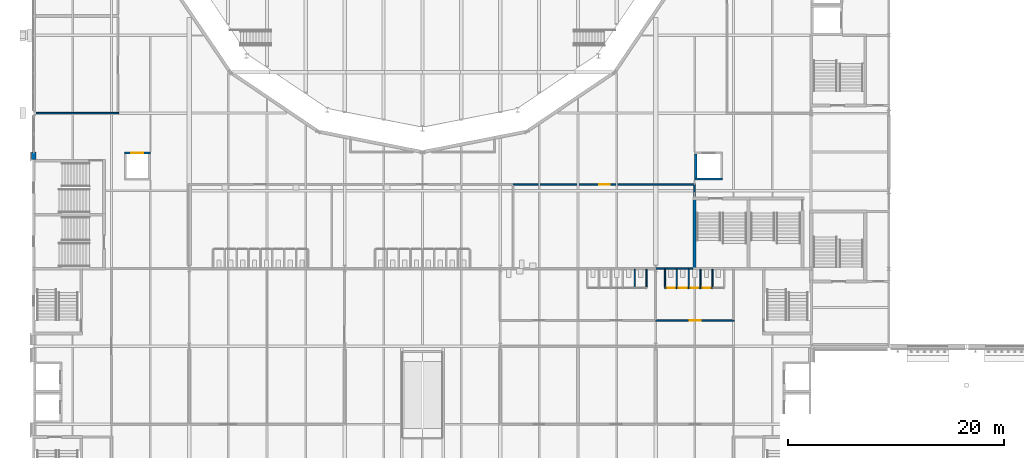
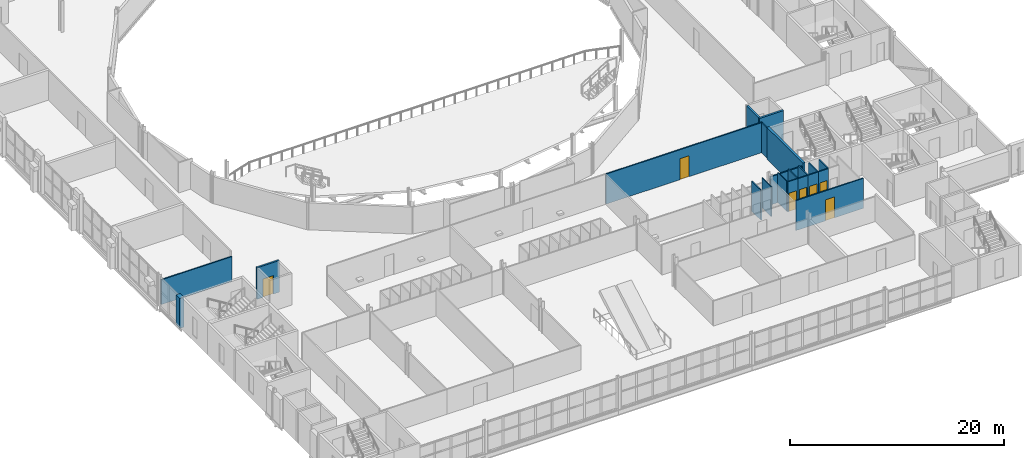
# One storey, part 66 of 124: 21 walls, 7 doors, 7 openings.
"""IFC4 building model written with IfcOpenShell, lengths in metres."""

from ifc_helpers import new_model, si_unit, direction, frame, frame_2d, origin, place, context, subcontext, project, spatial, rectangle, extrude, material, layer, layer_set, type_object, element, fill, save


model = new_model("IFC4")

# Units and contexts
model_context = context("Model", 3, precision=1e-05, world=origin(), true_north=direction((0.0, 1.0)))
body_context = subcontext(model_context, "Body", "Model", "MODEL_VIEW")
ifc_project = project(units=[si_unit("LENGTHUNIT", "METRE"), si_unit("AREAUNIT", "SQUARE_METRE"), si_unit("VOLUMEUNIT", "CUBIC_METRE"), si_unit("PLANEANGLEUNIT", "RADIAN"), si_unit("MASSUNIT", "GRAM", prefix="KILO")], contexts=[model_context])

# Site, building, storey
site_placement = place(None, origin())
site = spatial("IfcSite", under=ifc_project, at=site_placement, CompositionType="ELEMENT")
building_placement = place(site_placement, origin())
building = spatial("IfcBuilding", under=site, at=building_placement, Name="Kupolbacken Congress Centre", CompositionType="ELEMENT")
storey_placement = place(building_placement, frame((0.0, 0.0, 10.800048828125)))
storey = spatial("IfcBuildingStorey", under=building, at=storey_placement, Name="L03", CompositionType="ELEMENT", Elevation=10.800048828125)

# Walls
ifc_material_1 = material(Name="Limestone", Category="masonry")
ifc_layer_1 = layer(ifc_material_1, 0.1201171875)
ifc_material_2 = material(Name="Air cavity", Category="air")
ifc_layer_2 = layer(ifc_material_2, 0.0400390625, ventilated=True)
ifc_material_3 = material(Name="Mineral wool", Category="insulation")
ifc_layer_3 = layer(ifc_material_3, 0.159912109375)
ifc_material_4 = material(Name="Concrete block", Category="masonry")
ifc_layer_4 = layer(ifc_material_4, 0.1201171875)
ifc_layer_set_1 = layer_set([ifc_layer_1, ifc_layer_2, ifc_layer_3, ifc_layer_4], Name="Limestone / Mineral wool / Concrete block")
wall_type_1 = type_object("IfcWallType", Name="EW05 external cavity wall 440", PredefinedType="SOLIDWALL", material=ifc_layer_set_1)
wall_1_placement = place(storey_placement, frame((7.199951171875, 61.199951171875, 0.0), z_axis=(0.0, 0.0, 1.0), x_axis=(0.0, -1.0, 0.0)))
element("IfcWall", 1, at=wall_1_placement, inside=storey, type_object=wall_type_1, Name="E/P/W/L03/394", PredefinedType="SOLIDWALL", context=body_context, shape_type="SweptSolid", body=[
    extrude(rectangle(XDim=0.675048828125, YDim=0.43994140625, at=frame_2d((0.33740234375, 0.0))), origin(), (0.0, 0.0, 1.0), 3.419921875),
])
ifc_material_5 = material(Name="Gypsum board", Category="drywall")
ifc_layer_5 = layer(ifc_material_5, 0.114990234375)
ifc_layer_set_2 = layer_set([ifc_layer_5], Name="Gypsum board")
wall_type_2 = type_object("IfcWallType", Name="P04 partition 115", PredefinedType="PARTITIONING", material=ifc_layer_set_2)
for number, where, z_axis, x_axis, name in (
    (2, (62.85009765625, 50.342529296875, 0.0), (0.0, 0.0, 1.0), (0.0, -1.0, 0.0), "PD/L03/F-WC-02/cub05/a"),
    (3, (63.949951171875, 50.342529296875, 0.0), (0.0, 0.0, 1.0), (0.0, -1.0, 0.0), "PD/L03/F-WC-02/cub05/b"),
):
    element("IfcWall", number, at=place(storey_placement, frame(where, z_axis=z_axis, x_axis=x_axis)), inside=storey, type_object=wall_type_2, Name=name, PredefinedType="PARTITIONING", context=body_context, shape_type="SweptSolid", body=[
        extrude(rectangle(XDim=1.68505859375, YDim=0.114990234375, at=frame_2d((0.842529296875, 0.0))), origin(), (0.0, 0.0, 1.0), 3.419921875),
    ])

# Wall, opening, door
wall_2_placement = place(storey_placement, frame((65.64990234375, 48.60009765625, 0.0), z_axis=(0.0, 0.0, 1.0), x_axis=(1.0, 0.0, 0.0)))
wall_2 = element("IfcWall", 4, at=wall_2_placement, inside=storey, type_object=wall_type_2, Name="PD/L03/F-WC-03/cub01/F", PredefinedType="PARTITIONING", context=body_context, shape_type="SweptSolid", body=[
    extrude(rectangle(XDim=1.10009765625, YDim=0.114990234375, at=frame_2d((0.550048828125, 0.0))), origin(), (0.0, 0.0, 1.0), 3.419921875),
])
opening_1_placement = place(wall_2_placement, frame((0.14990234375, 0.0, 0.0)))
opening_1 = element("IfcOpeningElement", 5, at=opening_1_placement, cuts=wall_2, Name="Opening 3.WF74", PredefinedType="OPENING", context=body_context, shape_type="SweptSolid", body=[
    extrude(rectangle(XDim=0.800048828125, YDim=2.10009765625, at=frame_2d((0.39990234375, 1.050048828125))), frame((0.0, 0.0673828125, 0.0), z_axis=(0.0, -1.0, 0.0), x_axis=(1.0, 0.0, 0.0)), (0.0, 0.0, 1.0), 0.135009765625),
])
ifc_material_6 = material(Name="Timber door leaf", Category="wood")
door_type_1 = type_object("IfcDoorType", Name="D2 door 800x2100", OperationType="SINGLE_SWING_LEFT", PredefinedType="DOOR", material=ifc_material_6)
door_1_placement = place(opening_1_placement, origin())
door_1 = element("IfcDoor", 6, at=door_1_placement, inside=storey, type_object=door_type_1, Name="PD/L03/F-WC-03/cub01/F/DC", OperationType="SINGLE_SWING_LEFT", OverallHeight=2.10009765625, OverallWidth=0.800048828125, PredefinedType="DOOR", context=body_context, shape_type="SweptSolid", body=[
    extrude(rectangle(XDim=0.800048828125, YDim=2.10009765625, at=frame_2d((0.39990234375, 1.050048828125))), frame((0.0, 0.02490234375, 0.0), z_axis=(0.0, -1.0, 0.0), x_axis=(1.0, 0.0, 0.0)), (0.0, 0.0, 1.0), 0.050048828125),
])
fill(opening_1, door_1)

# Wall
wall_3_placement = place(storey_placement, frame((65.64990234375, 50.342529296875, 0.0), z_axis=(0.0, 0.0, 1.0), x_axis=(0.0, -1.0, 0.0)))
element("IfcWall", 7, at=wall_3_placement, inside=storey, type_object=wall_type_2, Name="PD/L03/F-WC-03/cub01/a", PredefinedType="PARTITIONING", context=body_context, shape_type="SweptSolid", body=[
    extrude(rectangle(XDim=1.68505859375, YDim=0.114990234375, at=frame_2d((0.842529296875, 0.0))), origin(), (0.0, 0.0, 1.0), 3.419921875),
])

# Wall, opening, door
wall_4_placement = place(storey_placement, frame((66.75, 48.60009765625, 0.0), z_axis=(0.0, 0.0, 1.0), x_axis=(1.0, 0.0, 0.0)))
wall_4 = element("IfcWall", 8, at=wall_4_placement, inside=storey, type_object=wall_type_2, Name="PD/L03/F-WC-03/cub02/F", PredefinedType="PARTITIONING", context=body_context, shape_type="SweptSolid", body=[
    extrude(rectangle(XDim=1.10009765625, YDim=0.114990234375, at=frame_2d((0.550048828125, 0.0))), origin(), (0.0, 0.0, 1.0), 3.419921875),
])
opening_2_placement = place(wall_4_placement, frame((0.14990234375, 0.0, 0.0)))
opening_2 = element("IfcOpeningElement", 9, at=opening_2_placement, cuts=wall_4, Name="Opening 3.WF75", PredefinedType="OPENING", context=body_context, shape_type="SweptSolid", body=[
    extrude(rectangle(XDim=0.800048828125, YDim=2.10009765625, at=frame_2d((0.39990234375, 1.050048828125))), frame((0.0, 0.0673828125, 0.0), z_axis=(0.0, -1.0, 0.0), x_axis=(1.0, 0.0, 0.0)), (0.0, 0.0, 1.0), 0.135009765625),
])
door_2_placement = place(opening_2_placement, origin())
door_2 = element("IfcDoor", 10, at=door_2_placement, inside=storey, type_object=door_type_1, Name="PD/L03/F-WC-03/cub02/F/DC", OperationType="SINGLE_SWING_RIGHT", OverallHeight=2.10009765625, OverallWidth=0.800048828125, PredefinedType="DOOR", context=body_context, shape_type="SweptSolid", body=[
    extrude(rectangle(XDim=0.800048828125, YDim=2.10009765625, at=frame_2d((0.39990234375, 1.050048828125))), frame((0.0, 0.02490234375, 0.0), z_axis=(0.0, -1.0, 0.0), x_axis=(1.0, 0.0, 0.0)), (0.0, 0.0, 1.0), 0.050048828125),
])
fill(opening_2, door_2)

# Wall
wall_5_placement = place(storey_placement, frame((66.75, 50.342529296875, 0.0), z_axis=(0.0, 0.0, 1.0), x_axis=(0.0, -1.0, 0.0)))
element("IfcWall", 11, at=wall_5_placement, inside=storey, type_object=wall_type_2, Name="PD/L03/F-WC-03/cub02/a", PredefinedType="PARTITIONING", context=body_context, shape_type="SweptSolid", body=[
    extrude(rectangle(XDim=1.68505859375, YDim=0.114990234375, at=frame_2d((0.842529296875, 0.0))), origin(), (0.0, 0.0, 1.0), 3.419921875),
])

# Wall, opening, door
wall_6_placement = place(storey_placement, frame((67.85009765625, 48.60009765625, 0.0), z_axis=(0.0, 0.0, 1.0), x_axis=(1.0, 0.0, 0.0)))
wall_6 = element("IfcWall", 12, at=wall_6_placement, inside=storey, type_object=wall_type_2, Name="PD/L03/F-WC-03/cub03/F", PredefinedType="PARTITIONING", context=body_context, shape_type="SweptSolid", body=[
    extrude(rectangle(XDim=1.099853515625, YDim=0.114990234375, at=frame_2d((0.5498046875, 0.0))), origin(), (0.0, 0.0, 1.0), 3.419921875),
])
opening_3_placement = place(wall_6_placement, frame((0.14990234375, 0.0, 0.0)))
opening_3 = element("IfcOpeningElement", 13, at=opening_3_placement, cuts=wall_6, Name="Opening 3.WF76", PredefinedType="OPENING", context=body_context, shape_type="SweptSolid", body=[
    extrude(rectangle(XDim=0.800048828125, YDim=2.10009765625, at=frame_2d((0.39990234375, 1.050048828125))), frame((0.0, 0.0673828125, 0.0), z_axis=(0.0, -1.0, 0.0), x_axis=(1.0, 0.0, 0.0)), (0.0, 0.0, 1.0), 0.135009765625),
])
door_3_placement = place(opening_3_placement, origin())
door_3 = element("IfcDoor", 14, at=door_3_placement, inside=storey, type_object=door_type_1, Name="PD/L03/F-WC-03/cub03/F/DC", OperationType="SINGLE_SWING_LEFT", OverallHeight=2.10009765625, OverallWidth=0.800048828125, PredefinedType="DOOR", context=body_context, shape_type="SweptSolid", body=[
    extrude(rectangle(XDim=0.800048828125, YDim=2.10009765625, at=frame_2d((0.39990234375, 1.050048828125))), frame((0.0, 0.02490234375, 0.0), z_axis=(0.0, -1.0, 0.0), x_axis=(1.0, 0.0, 0.0)), (0.0, 0.0, 1.0), 0.050048828125),
])
fill(opening_3, door_3)

# Wall
wall_7_placement = place(storey_placement, frame((67.85009765625, 50.342529296875, 0.0), z_axis=(0.0, 0.0, 1.0), x_axis=(0.0, -1.0, 0.0)))
element("IfcWall", 15, at=wall_7_placement, inside=storey, type_object=wall_type_2, Name="PD/L03/F-WC-03/cub03/a", PredefinedType="PARTITIONING", context=body_context, shape_type="SweptSolid", body=[
    extrude(rectangle(XDim=1.68505859375, YDim=0.114990234375, at=frame_2d((0.842529296875, 0.0))), origin(), (0.0, 0.0, 1.0), 3.419921875),
])

# Wall, opening, door
wall_8_placement = place(storey_placement, frame((68.949951171875, 48.60009765625, 0.0), z_axis=(0.0, 0.0, 1.0), x_axis=(1.0, 0.0, 0.0)))
wall_8 = element("IfcWall", 16, at=wall_8_placement, inside=storey, type_object=wall_type_2, Name="PD/L03/F-WC-03/cub04/F", PredefinedType="PARTITIONING", context=body_context, shape_type="SweptSolid", body=[
    extrude(rectangle(XDim=1.10009765625, YDim=0.114990234375, at=frame_2d((0.550048828125, 0.0))), origin(), (0.0, 0.0, 1.0), 3.419921875),
])
opening_4_placement = place(wall_8_placement, frame((0.14990234375, 0.0, 0.0)))
opening_4 = element("IfcOpeningElement", 17, at=opening_4_placement, cuts=wall_8, Name="Opening 3.WF77", PredefinedType="OPENING", context=body_context, shape_type="SweptSolid", body=[
    extrude(rectangle(XDim=0.800048828125, YDim=2.10009765625, at=frame_2d((0.39990234375, 1.050048828125))), frame((0.0, 0.0673828125, 0.0), z_axis=(0.0, -1.0, 0.0), x_axis=(1.0, 0.0, 0.0)), (0.0, 0.0, 1.0), 0.135009765625),
])
door_4_placement = place(opening_4_placement, origin())
door_4 = element("IfcDoor", 18, at=door_4_placement, inside=storey, type_object=door_type_1, Name="PD/L03/F-WC-03/cub04/F/DC", OperationType="SINGLE_SWING_RIGHT", OverallHeight=2.10009765625, OverallWidth=0.800048828125, PredefinedType="DOOR", context=body_context, shape_type="SweptSolid", body=[
    extrude(rectangle(XDim=0.800048828125, YDim=2.10009765625, at=frame_2d((0.39990234375, 1.050048828125))), frame((0.0, 0.02490234375, 0.0), z_axis=(0.0, -1.0, 0.0), x_axis=(1.0, 0.0, 0.0)), (0.0, 0.0, 1.0), 0.050048828125),
])
fill(opening_4, door_4)

# Walls
for number, where, z_axis, x_axis, name in (
    (19, (68.949951171875, 50.342529296875, 0.0), (0.0, 0.0, 1.0), (0.0, -1.0, 0.0), "PD/L03/F-WC-03/cub04/a"),
    (20, (70.050048828125, 50.342529296875, 0.0), (0.0, 0.0, 1.0), (0.0, -1.0, 0.0), "PD/L03/F-WC-03/cub05/a"),
):
    element("IfcWall", number, at=place(storey_placement, frame(where, z_axis=z_axis, x_axis=x_axis)), inside=storey, type_object=wall_type_2, Name=name, PredefinedType="PARTITIONING", context=body_context, shape_type="SweptSolid", body=[
        extrude(rectangle(XDim=1.68505859375, YDim=0.114990234375, at=frame_2d((0.842529296875, 0.0))), origin(), (0.0, 0.0, 1.0), 3.419921875),
    ])
ifc_material_7 = material(Name="Gypsum board", Category="drywall")
ifc_layer_6 = layer(ifc_material_7, 0.135009765625)
ifc_layer_set_3 = layer_set([ifc_layer_6], Name="Gypsum board")
wall_type_3 = type_object("IfcWallType", Name="P06 compartment wall 135", PredefinedType="PARTITIONING", material=ifc_layer_set_3)
wall_9_placement = place(storey_placement, frame((68.39990234375, 57.0849609375, 0.0), z_axis=(0.0, 0.0, 1.0), x_axis=(0.0, 1.0, 0.0)))
element("IfcWall", 21, at=wall_9_placement, inside=storey, type_object=wall_type_3, Name="PD/L03/W005", PredefinedType="PARTITIONING", context=body_context, shape_type="SweptSolid", body=[
    extrude(rectangle(XDim=1.047607421875, YDim=0.135009765625, at=frame_2d((0.52392578125, 0.0))), origin(), (0.0, 0.0, 1.0), 3.419921875),
])

# Wall, opening, door
wall_10_placement = place(storey_placement, frame((64.800048828125, 45.60009765625, 0.0), z_axis=(0.0, 0.0, 1.0), x_axis=(1.0, 0.0, 0.0)))
wall_10 = element("IfcWall", 22, at=wall_10_placement, inside=storey, type_object=wall_type_3, Name="PD/L03/W042", PredefinedType="PARTITIONING", context=body_context, shape_type="SweptSolid", body=[
    extrude(rectangle(XDim=7.267333984375, YDim=0.135009765625, at=frame_2d((3.6337890625, 0.0))), origin(), (0.0, 0.0, 1.0), 3.419921875),
])
opening_5_placement = place(wall_10_placement, frame((3.14990234375, 0.0, 0.0)))
opening_5 = element("IfcOpeningElement", 23, at=opening_5_placement, cuts=wall_10, Name="Opening 3.F15", PredefinedType="OPENING", context=body_context, shape_type="SweptSolid", body=[
    extrude(rectangle(XDim=1.0, YDim=2.39990234375, at=frame_2d((0.5, 1.199951171875))), frame((0.0, 0.077392578125, 0.0), z_axis=(0.0, -1.0, 0.0), x_axis=(1.0, 0.0, 0.0)), (0.0, 0.0, 1.0), 0.155029296875),
])
ifc_material_8 = material(Name="Steel fire door leaf", Category="steel")
door_type_2 = type_object("IfcDoorType", Name="D8 fire door 1000x2400", OperationType="SINGLE_SWING_LEFT", PredefinedType="DOOR", material=ifc_material_8)
door_5_placement = place(opening_5_placement, frame((1.0, 0.0, 0.0), z_axis=(0.0, 0.0, 1.0), x_axis=(-1.0, 0.0, 0.0)))
door_5 = element("IfcDoor", 24, at=door_5_placement, inside=storey, type_object=door_type_2, Name="PD/L03/W042/D3F15", OperationType="SINGLE_SWING_LEFT", OverallHeight=2.39990234375, OverallWidth=1.0, PredefinedType="DOOR", context=body_context, shape_type="SweptSolid", body=[
    extrude(rectangle(XDim=1.0, YDim=2.39990234375, at=frame_2d((0.5, 1.199951171875))), frame((0.0, 0.02490234375, 0.0), z_axis=(0.0, -1.0, 0.0), x_axis=(1.0, 0.0, 0.0)), (0.0, 0.0, 1.0), 0.050048828125),
])
fill(opening_5, door_5)

# Walls
wall_11_placement = place(storey_placement, frame((64.800048828125, 50.39990234375, 0.0), z_axis=(0.0, 0.0, 1.0), x_axis=(1.0, 0.0, 0.0)))
element("IfcWall", 25, at=wall_11_placement, inside=storey, type_object=wall_type_3, Name="PD/L03/W048", PredefinedType="PARTITIONING", context=body_context, shape_type="SweptSolid", body=[
    extrude(rectangle(XDim=3.4150390625, YDim=0.135009765625, at=frame_2d((1.70751953125, 0.0))), origin(), (0.0, 0.0, 1.0), 3.219970703125),
])
wall_12_placement = place(storey_placement, frame((15.0673828125, 64.800048828125, 0.0), z_axis=(0.0, 0.0, 1.0), x_axis=(-1.0, 0.0, 0.0)))
element("IfcWall", 26, at=wall_12_placement, inside=storey, type_object=wall_type_3, Name="PD/L03/W051", PredefinedType="PARTITIONING", context=body_context, shape_type="SweptSolid", body=[
    extrude(rectangle(XDim=7.6474609375, YDim=0.135009765625, at=frame_2d((3.82373046875, 0.0))), origin(), (0.0, 0.0, 1.0), 2.820068359375),
])

# Wall, opening, door
wall_13_placement = place(storey_placement, frame((51.60009765625, 58.199951171875, 0.0), z_axis=(0.0, 0.0, 1.0), x_axis=(1.0, 0.0, 0.0)))
wall_13 = element("IfcWall", 27, at=wall_13_placement, inside=storey, type_object=wall_type_3, Name="PD/L03/W079", PredefinedType="PARTITIONING", context=body_context, shape_type="SweptSolid", body=[
    extrude(rectangle(XDim=16.867431640625, YDim=0.135009765625, at=frame_2d((8.43359375, 0.0))), origin(), (0.0, 0.0, 1.0), 3.419921875),
])
opening_6_placement = place(wall_13_placement, frame((7.949951171875, 0.0, 0.0)))
opening_6 = element("IfcOpeningElement", 28, at=opening_6_placement, cuts=wall_13, Name="Opening 3.P21", PredefinedType="OPENING", context=body_context, shape_type="SweptSolid", body=[
    extrude(rectangle(XDim=1.0, YDim=2.39990234375, at=frame_2d((0.5, 1.199951171875))), frame((0.0, 0.077392578125, 0.0), z_axis=(0.0, -1.0, 0.0), x_axis=(1.0, 0.0, 0.0)), (0.0, 0.0, 1.0), 0.155029296875),
])
door_6_placement = place(opening_6_placement, frame((1.0, 0.0, 0.0), z_axis=(0.0, 0.0, 1.0), x_axis=(-1.0, 0.0, 0.0)))
door_6 = element("IfcDoor", 29, at=door_6_placement, inside=storey, type_object=door_type_2, Name="PD/L03/W079/D3P21", OperationType="SINGLE_SWING_LEFT", OverallHeight=2.39990234375, OverallWidth=1.0, PredefinedType="DOOR", context=body_context, shape_type="SweptSolid", body=[
    extrude(rectangle(XDim=1.0, YDim=2.39990234375, at=frame_2d((0.5, 1.199951171875))), frame((0.0, 0.02490234375, 0.0), z_axis=(0.0, -1.0, 0.0), x_axis=(1.0, 0.0, 0.0)), (0.0, 0.0, 1.0), 0.050048828125),
])
fill(opening_6, door_6)

ifc_material_9 = material(Name="Concrete C40/50", Category="concrete")
ifc_layer_7 = layer(ifc_material_9, 0.199951171875)
ifc_layer_set_4 = layer_set([ifc_layer_7], Name="Concrete C40/50")
wall_type_4 = type_object("IfcWallType", Name="WC1 RC shaft wall 200", PredefinedType="SHEAR", material=ifc_layer_set_4)
wall_14_placement = place(storey_placement, frame((15.60009765625, 61.10009765625, 0.0), z_axis=(0.0, 0.0, 1.0), x_axis=(1.0, 0.0, 0.0)))
wall_14 = element("IfcWall", 30, at=wall_14_placement, inside=storey, type_object=wall_type_4, Name="Shaft wall LP5", PredefinedType="SHEAR", context=body_context, shape_type="SweptSolid", body=[
    extrude(rectangle(XDim=2.39990234375, YDim=0.199951171875, at=frame_2d((1.199951171875, 0.0))), origin(), (0.0, 0.0, 1.0), 3.599853515625),
])
opening_7_placement = place(wall_14_placement, frame((0.64990234375, 0.0, 0.0)))
opening_7 = element("IfcOpeningElement", 31, at=opening_7_placement, cuts=wall_14, Name="Opening LD2", PredefinedType="OPENING", context=body_context, shape_type="SweptSolid", body=[
    extrude(rectangle(XDim=1.10009765625, YDim=2.10009765625, at=frame_2d((0.550048828125, 1.050048828125))), frame((0.0, 0.10986328125, 0.0), z_axis=(0.0, -1.0, 0.0), x_axis=(1.0, 0.0, 0.0)), (0.0, 0.0, 1.0), 0.219970703125),
])
ifc_material_10 = material(Name="Stainless steel door leaf", Category="steel")
door_type_3 = type_object("IfcDoorType", Name="LD2 lift landing door 1100x2100", OperationType="SLIDING_TO_LEFT", PredefinedType="DOOR", material=ifc_material_10)
door_7_placement = place(opening_7_placement, origin())
door_7 = element("IfcDoor", 32, at=door_7_placement, inside=storey, type_object=door_type_3, Name="Lift landing door LP5", OperationType="SLIDING_TO_LEFT", OverallHeight=2.10009765625, OverallWidth=1.10009765625, PredefinedType="DOOR", context=body_context, shape_type="SweptSolid", body=[
    extrude(rectangle(XDim=1.10009765625, YDim=2.10009765625, at=frame_2d((0.550048828125, 1.050048828125))), frame((0.0, 0.02490234375, 0.0), z_axis=(0.0, -1.0, 0.0), x_axis=(1.0, 0.0, 0.0)), (0.0, 0.0, 1.0), 0.050048828125),
])
fill(opening_7, door_7)

# Walls
wall_15_placement = place(storey_placement, frame((68.39990234375, 58.699951171875, 0.0), z_axis=(0.0, 0.0, 1.0), x_axis=(1.0, 0.0, 0.0)))
element("IfcWall", 33, at=wall_15_placement, inside=storey, type_object=wall_type_4, Name="Shaft wall LP6", PredefinedType="SHEAR", context=body_context, shape_type="SweptSolid", body=[
    extrude(rectangle(XDim=2.60009765625, YDim=0.199951171875, at=frame_2d((1.300048828125, 0.0))), origin(), (0.0, 0.0, 1.0), 3.599853515625),
])
wall_16_placement = place(storey_placement, frame((68.5, 58.800048828125, 0.0), z_axis=(0.0, 0.0, 1.0), x_axis=(0.0, 1.0, 0.0)))
element("IfcWall", 34, at=wall_16_placement, inside=storey, type_object=wall_type_4, Name="Shaft wall LP6", PredefinedType="SHEAR", context=body_context, shape_type="SweptSolid", body=[
    extrude(rectangle(XDim=2.199951171875, YDim=0.199951171875, at=frame_2d((1.10009765625, 0.0))), origin(), (0.0, 0.0, 1.0), 3.599853515625),
])
ifc_material_11 = material(Name="Concrete C40/50", Category="concrete")
ifc_layer_8 = layer(ifc_material_11, 0.25)
ifc_layer_set_5 = layer_set([ifc_layer_8], Name="Concrete C40/50")
wall_type_5 = type_object("IfcWallType", Name="WC2 RC stair enclosure wall 250", PredefinedType="SHEAR", material=ifc_layer_set_5)
wall_17_placement = place(storey_placement, frame((68.39990234375, 57.02490234375, 0.0), z_axis=(0.0, 0.0, 1.0), x_axis=(0.0, -1.0, 0.0)))
element("IfcWall", 35, at=wall_17_placement, inside=storey, type_object=wall_type_5, Name="Stair enclosure wall L03-040", PredefinedType="SHEAR", context=body_context, shape_type="SweptSolid", body=[
    extrude(rectangle(XDim=6.75, YDim=0.25, at=frame_2d((3.375, 0.0))), origin(), (0.0, 0.0, 1.0), 3.599853515625),
])

save(model, "model.ifc")
